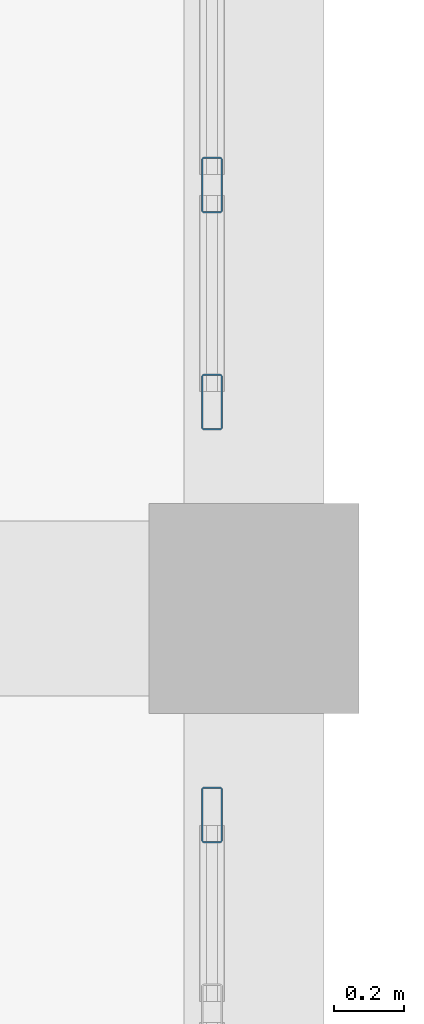
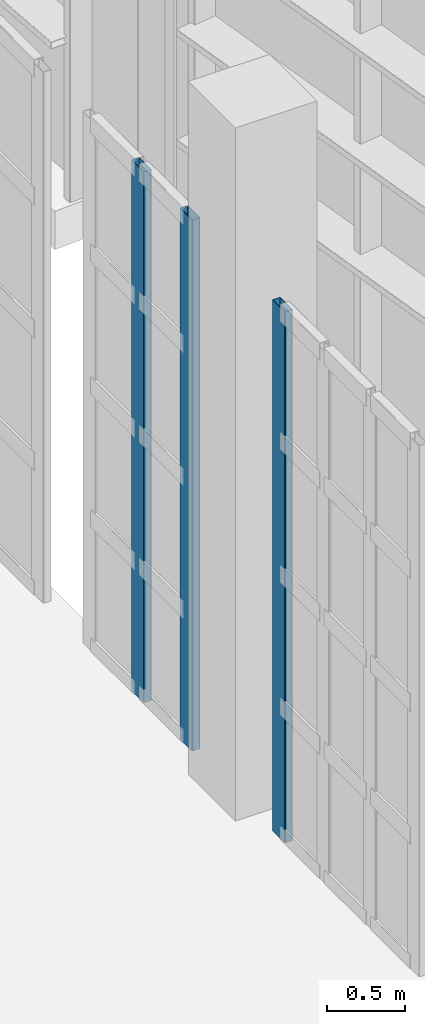
# One storey, part 170 of 372: 3 members, 2 elements without a shape of their own.
"""IFC4 building model written with IfcOpenShell, lengths in metres."""

import ifcopenshell
import ifcopenshell.guid

model = None  # the IFC model being written
_history = None  # IfcOwnerHistory: only IFC2X3 demands one
_inside = {}  # id of a spatial element -> (the spatial element, [elements in it])
_under = {}  # id of a project, library or spatial element -> (it, [spatial elements below it])
_declared = {}  # id of a project -> (the project, [libraries it declares])
_typed = {}  # id of a type object -> (the type object, [elements of that type])
_made_of = {}  # id of a material, layer set ... -> (it, [elements and type objects made of it])


def new_model(schema):
    """Start an empty IFC model of exactly this schema.

    Asked for "IFC4X3", IfcOpenShell would pick the latest addendum, in which some entities
    have other attributes; the version numbers below select the first issue.
    IFC2X3 requires an IfcOwnerHistory on every rooted entity: one is made here for all.
    """
    global model, _history
    if schema == "IFC4X3":
        model = ifcopenshell.file(schema_version=(4, 3, 0, 0))
    else:
        model = ifcopenshell.file(schema=schema)
    _inside.clear()
    _under.clear()
    _declared.clear()
    _typed.clear()
    _made_of.clear()
    _history = None
    if model.schema == "IFC2X3":
        org = make("IfcOrganization", Name="unknown")
        user = make(
            "IfcPersonAndOrganization",
            ThePerson=make("IfcPerson", FamilyName="unknown"),
            TheOrganization=org,
        )
        app = make(
            "IfcApplication",
            ApplicationDeveloper=org,
            Version="unknown",
            ApplicationFullName="unknown",
            ApplicationIdentifier="unknown",
        )
        _history = make(
            "IfcOwnerHistory",
            OwningUser=user,
            OwningApplication=app,
            ChangeAction="ADDED",
            CreationDate=0,
        )
    return model


def make(cls, **values):
    """One entity of the class cls with the attributes given. An attribute that is None is left unset."""
    return model.create_entity(
        cls, **{name: value for name, value in values.items() if value is not None}
    )


def rooted(cls, **values):
    """An entity with a GlobalId (a new one), such as an element, a storey or a relation."""
    return make(cls, GlobalId=ifcopenshell.guid.new(), OwnerHistory=_history, **values)


def si_unit(unit_type, name, prefix=None):
    """IfcSIUnit, for example si_unit("LENGTHUNIT", "METRE", prefix="MILLI")."""
    return make("IfcSIUnit", UnitType=unit_type, Prefix=prefix, Name=name)


def assignment(units):
    """IfcUnitAssignment: the units of a project."""
    return None if units is None else make("IfcUnitAssignment", Units=units)


def point(xyz):
    """IfcCartesianPoint."""
    return None if xyz is None else make("IfcCartesianPoint", Coordinates=xyz)


def direction(xyz):
    """IfcDirection."""
    return None if xyz is None else make("IfcDirection", DirectionRatios=xyz)


def frame(location, z_axis=None, x_axis=None):
    """IfcAxis2Placement3D, a coordinate frame: its origin and axes. An axis left out is left unset."""
    return make(
        "IfcAxis2Placement3D",
        Location=point(location),
        Axis=direction(z_axis),
        RefDirection=direction(x_axis),
    )


def frame_2d(location, x_axis=None):
    """IfcAxis2Placement2D, a coordinate frame in the plane: its origin and x axis."""
    return make(
        "IfcAxis2Placement2D", Location=point(location), RefDirection=direction(x_axis)
    )


def origin():
    """The frame at (0, 0, 0) with its axes left unset."""
    return frame((0.0, 0.0, 0.0))


def origin_2d():
    """The frame at (0, 0) in the plane with its x axis left unset."""
    return frame_2d((0.0, 0.0))


def place(relative_to, where):
    """IfcLocalPlacement: puts the frame where relative to a parent placement (None: the world)."""
    return make(
        "IfcLocalPlacement", PlacementRelTo=relative_to, RelativePlacement=where
    )


def context(
    kind, dimensions, precision=None, world=None, true_north=None, identifier=None
):
    """IfcGeometricRepresentationContext, for example the 3D "Model" context."""
    return make(
        "IfcGeometricRepresentationContext",
        ContextIdentifier=identifier,
        ContextType=kind,
        CoordinateSpaceDimension=dimensions,
        Precision=precision,
        WorldCoordinateSystem=world,
        TrueNorth=true_north,
    )


def subcontext(parent, identifier, kind, view, scale=None):
    """IfcGeometricRepresentationSubContext, for example "Body" below "Model"."""
    return make(
        "IfcGeometricRepresentationSubContext",
        ContextIdentifier=identifier,
        ContextType=kind,
        ParentContext=parent,
        TargetScale=scale,
        TargetView=view,
    )


def project(units=None, contexts=None):
    """IfcProject with its units and contexts."""
    return rooted(
        "IfcProject",
        Name="project",
        RepresentationContexts=contexts,
        UnitsInContext=assignment(units),
    )


def spatial(cls, under=None, at=None, **own):
    """A site, building, storey or space (cls), placed at a placement, below another one or the project."""
    s = rooted(cls, ObjectPlacement=at, **own)
    if under is not None:
        _under.setdefault(under.id(), (under, []))[1].append(s)
    return s


def profile(cls, at=None, kind="AREA", **sizes):
    """A parametric profile (cls). Its sizes go by their IFC names, for example OverallWidth=200.0."""
    return make(cls, ProfileType=kind, Position=at, **sizes)


def hollow_rectangle(**sizes):
    """IfcRectangleHollowProfileDef."""
    return profile("IfcRectangleHollowProfileDef", **sizes)


def extrude(swept, where, along, depth):
    """IfcExtrudedAreaSolid: the profile swept, set in the frame where, extruded along a direction by depth."""
    return make(
        "IfcExtrudedAreaSolid",
        SweptArea=swept,
        Position=where,
        ExtrudedDirection=direction(along),
        Depth=depth,
    )


def shape(context_of_items, identifier, shape_type, items):
    """IfcShapeRepresentation: the items that make up one representation, for example the "Body"."""
    return make(
        "IfcShapeRepresentation",
        ContextOfItems=context_of_items,
        RepresentationIdentifier=identifier,
        RepresentationType=shape_type,
        Items=items,
    )


def material(Name=None, Category=None):
    """IfcMaterial."""
    return make("IfcMaterial", Name=Name, Category=Category)


def material_profile(
    of_material, cross_section, Name=None, Category=None, Priority=None
):
    """IfcMaterialProfile: a cross section and its material."""
    return make(
        "IfcMaterialProfile",
        Name=Name,
        Material=of_material,
        Profile=cross_section,
        Priority=Priority,
        Category=Category,
    )


def profile_set(profiles, Name=None, composite=None):
    """IfcMaterialProfileSet."""
    return make(
        "IfcMaterialProfileSet",
        Name=Name,
        MaterialProfiles=profiles,
        CompositeProfile=composite,
    )


def made_of(thing, what):
    """Note that an element or type object is made of a material, layer set ...; save() writes the relation."""
    if what is not None:
        _made_of.setdefault(what.id(), (what, []))[1].append(thing)
    return thing


def type_object(cls, material=None, **own):
    """A type object (cls), such as IfcWallType, which elements share."""
    return made_of(rooted(cls, **own), material)


def element(
    cls,
    number,
    at=None,
    inside=None,
    cuts=None,
    type_object=None,
    material=None,
    context=None,
    identifier="Body",
    shape_type=None,
    held_by="IfcProductDefinitionShape",
    body=None,
    shapes=None,
    **own,
):
    """One element of the class cls, such as IfcWall. Its Tag is "e" and its number.

    at: its placement. inside: the storey or other place that contains it. cuts: it is an
    opening in that element (IfcRelVoidsElement). A single representation is given by context,
    identifier, shape_type and body (its items); several are given by shapes. held_by: the class
    of the entity that holds the representations. save() writes the other relations.
    """
    e = rooted(cls, Tag="e%d" % number, ObjectPlacement=at, **own)
    if body is not None:
        shapes = [shape(context, identifier, shape_type, body)]
    if shapes is not None:
        e.Representation = make(held_by, Representations=shapes)
    if inside is not None:
        _inside.setdefault(inside.id(), (inside, []))[1].append(e)
    if cuts is not None:
        rooted(
            "IfcRelVoidsElement", RelatingBuildingElement=cuts, RelatedOpeningElement=e
        )
    if type_object is not None:
        _typed.setdefault(type_object.id(), (type_object, []))[1].append(e)
    return made_of(e, material)


def aggregate(whole, parts):
    """IfcRelAggregates: a whole, such as a stair, and the parts it consists of."""
    return rooted("IfcRelAggregates", RelatingObject=whole, RelatedObjects=parts)


def save(model, path):
    """Write the relations noted so far, then the file.

    IfcRelAggregates (storeys below a building ...), IfcRelContainedInSpatialStructure (elements
    in a storey), IfcRelDefinesByType, IfcRelAssociatesMaterial and IfcRelDeclares: one each for
    every whole, place, type object, material and project.
    """
    for whole, parts in _under.values():
        aggregate(whole, parts)
    for where, things in _inside.values():
        rooted(
            "IfcRelContainedInSpatialStructure",
            RelatedElements=things,
            RelatingStructure=where,
        )
    for kind, things in _typed.values():
        rooted("IfcRelDefinesByType", RelatedObjects=things, RelatingType=kind)
    for what, things in _made_of.values():
        rooted("IfcRelAssociatesMaterial", RelatedObjects=things, RelatingMaterial=what)
    for by, libraries in _declared.values():
        rooted("IfcRelDeclares", RelatingContext=by, RelatedDefinitions=libraries)
    model.write(path)


model = new_model("IFC4")

# Units and contexts
model_context = context("Model", 3, precision=1e-05, world=origin(), true_north=direction((0.0, 1.0)))
body_context = subcontext(model_context, "Body", "Model", "MODEL_VIEW")
ifc_project = project(units=[si_unit("LENGTHUNIT", "METRE"), si_unit("AREAUNIT", "SQUARE_METRE"), si_unit("VOLUMEUNIT", "CUBIC_METRE"), si_unit("PLANEANGLEUNIT", "RADIAN"), si_unit("MASSUNIT", "GRAM", prefix="KILO")], contexts=[model_context])

# Site, building, storey
site_placement = place(None, origin())
site = spatial("IfcSite", under=ifc_project, at=site_placement, CompositionType="ELEMENT")
building_placement = place(site_placement, origin())
building = spatial("IfcBuilding", under=site, at=building_placement, Name="Kaelora Sail Theatre", CompositionType="ELEMENT")
storey_placement = place(building_placement, origin())
storey = spatial("IfcBuildingStorey", under=building, at=storey_placement, Name="L00", CompositionType="ELEMENT", Elevation=0.0)

# Curtain wall, member
ifc_material_1 = material(Name="Anodised aluminium and solar-control low-E IGU", Category="aluminium")
curtain_wall_type = type_object("IfcCurtainWallType", Name="ARC-CW-CW-FOY1", PredefinedType="NOTDEFINED", material=ifc_material_1)
curtain_wall_1_placement = place(storey_placement, origin())
curtain_wall_1 = element("IfcCurtainWall", 1, at=curtain_wall_1_placement, inside=storey, type_object=curtain_wall_type, Name="West Interstitial Foyer East Glazed Return L00-02", PredefinedType="NOTDEFINED")
ifc_material_2 = material(Name="Anodised aluminium 6063-T6", Category="aluminium")
ifc_material_profile = material_profile(ifc_material_2, hollow_rectangle(XDim=0.06005859375, YDim=0.159912109375, WallThickness=0.00390625, InnerFilletRadius=0.00390625, OuterFilletRadius=0.008056640625, at=origin_2d()), Name="ALU-MULL 60x160x4")
ifc_profile_set = profile_set([ifc_material_profile], Name="Anodised aluminium 6063-T6")
member_type = type_object("IfcMemberType", Name="ARC-MEM-ML-160", PredefinedType="MULLION", material=ifc_profile_set)
member_1_placement = place(storey_placement, frame((74.280029296875, 45.550048828125, 0.0), z_axis=(0.0, 0.0, 1.0), x_axis=(-1.0, 0.0, 0.0)))
member_1 = element("IfcMember", 2, at=member_1_placement, type_object=member_type, Name="CW-FOY1 mullion 4", PredefinedType="MULLION", context=body_context, shape_type="SweptSolid", body=[
    extrude(hollow_rectangle(XDim=0.06005859375, YDim=0.159912109375, WallThickness=0.00390625, InnerFilletRadius=0.00390625, OuterFilletRadius=0.008056640625, at=origin_2d()), origin(), (0.0, 0.0, 1.0), 4.136962890625),
])
aggregate(curtain_wall_1, [member_1])

# Curtain wall, members
curtain_wall_2_placement = place(storey_placement, origin())
curtain_wall_2 = element("IfcCurtainWall", 3, at=curtain_wall_2_placement, inside=storey, type_object=curtain_wall_type, Name="West Interstitial Foyer East Glazed Return L00-02", PredefinedType="NOTDEFINED")
member_2_placement = place(storey_placement, frame((74.280029296875, 46.72998046875, 0.0), z_axis=(0.0, 0.0, 1.0), x_axis=(-1.0, 0.0, 0.0)))
member_2 = element("IfcMember", 4, at=member_2_placement, type_object=member_type, Name="CW-FOY1 mullion 1", PredefinedType="MULLION", context=body_context, shape_type="SweptSolid", body=[
    extrude(hollow_rectangle(XDim=0.06005859375, YDim=0.159912109375, WallThickness=0.00390625, InnerFilletRadius=0.00390625, OuterFilletRadius=0.008056640625, at=origin_2d()), origin(), (0.0, 0.0, 1.0), 4.136962890625),
])
member_3_placement = place(storey_placement, frame((74.280029296875, 47.35009765625, 0.0), z_axis=(0.0, 0.0, 1.0), x_axis=(-1.0, 0.0, 0.0)))
member_3 = element("IfcMember", 5, at=member_3_placement, type_object=member_type, Name="CW-FOY1 mullion 2", PredefinedType="MULLION", context=body_context, shape_type="SweptSolid", body=[
    extrude(hollow_rectangle(XDim=0.06005859375, YDim=0.159912109375, WallThickness=0.00390625, InnerFilletRadius=0.00390625, OuterFilletRadius=0.008056640625, at=origin_2d()), origin(), (0.0, 0.0, 1.0), 4.136962890625),
])
aggregate(curtain_wall_2, [member_2, member_3])

save(model, "model.ifc")
